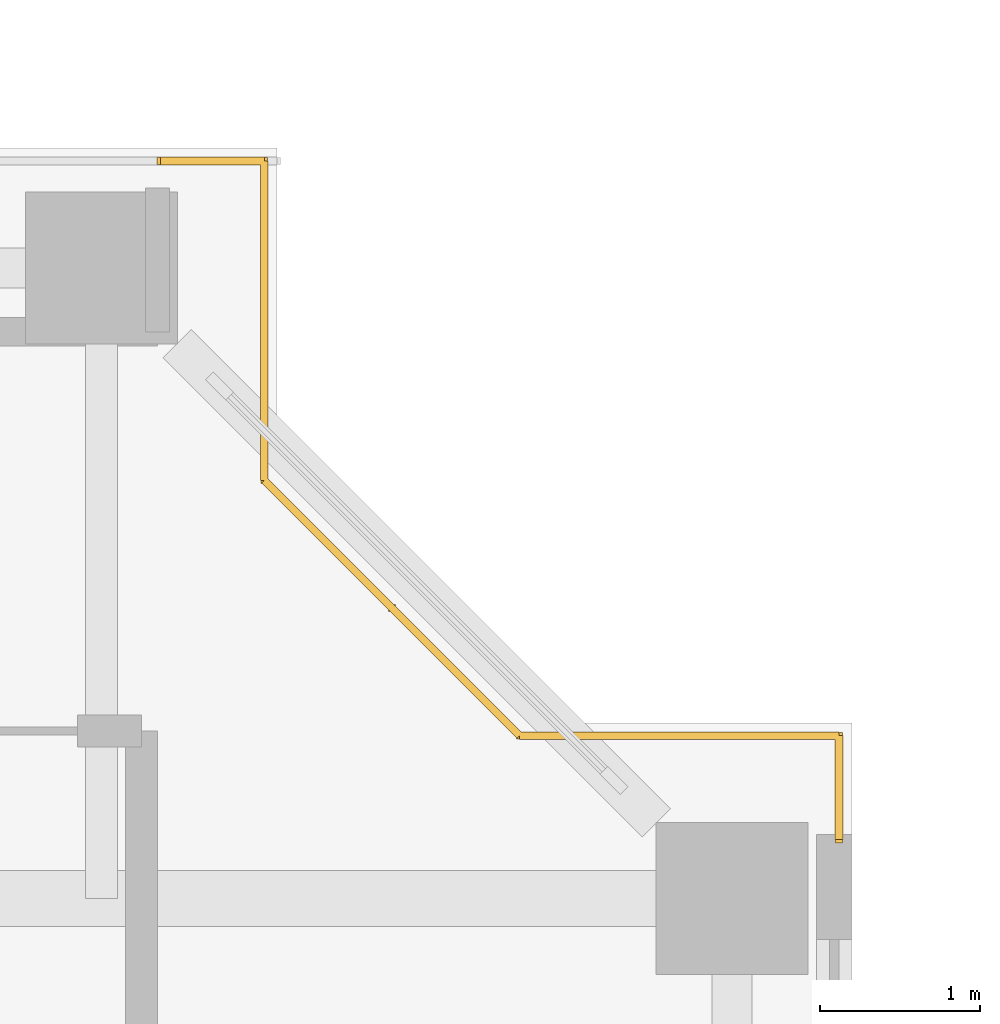
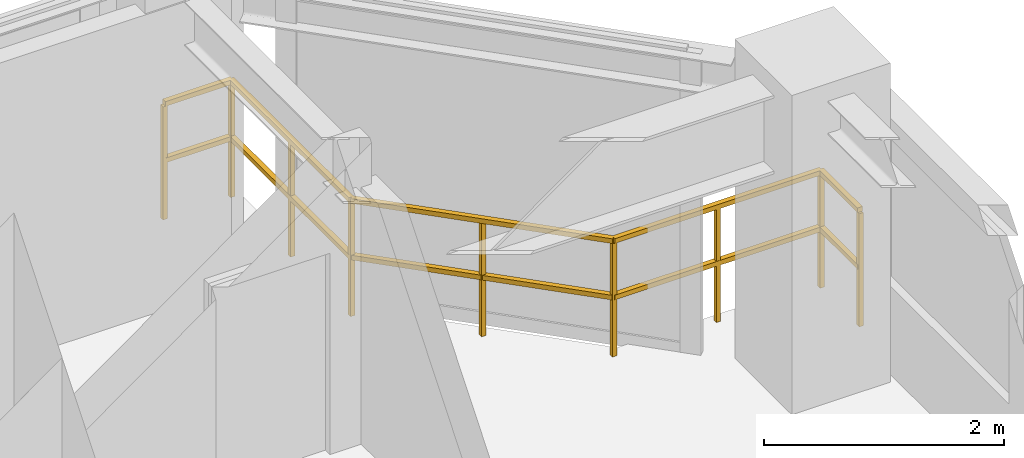
# One storey, part 24 of 24: 1 railing.
"""IFC4 building model written with IfcOpenShell, lengths in metres."""

from ifc_helpers import new_model, si_unit, direction, frame, origin, origin_2d, place, context, subcontext, project, spatial, rectangle, extrude, material, type_object, element, save


model = new_model("IFC4")

# Units and contexts
model_context = context("Model", 3, precision=1e-05, world=origin(), true_north=direction((0.0, 1.0)))
body_context = subcontext(model_context, "Body", "Model", "MODEL_VIEW")
ifc_project = project(units=[si_unit("LENGTHUNIT", "METRE"), si_unit("AREAUNIT", "SQUARE_METRE"), si_unit("VOLUMEUNIT", "CUBIC_METRE"), si_unit("PLANEANGLEUNIT", "RADIAN"), si_unit("MASSUNIT", "GRAM", prefix="KILO"), si_unit("THERMODYNAMICTEMPERATUREUNIT", "KELVIN"), si_unit("POWERUNIT", "WATT")], contexts=[model_context])

# Site, building, storey
site_placement = place(None, origin())
site = spatial("IfcSite", under=ifc_project, at=site_placement, CompositionType="ELEMENT")
building_placement = place(site_placement, origin())
building = spatial("IfcBuilding", under=site, at=building_placement, Name="Qiaomeng Ring Towers", CompositionType="ELEMENT")
storey_placement = place(building_placement, frame((0.0, 0.0, 56.75)))
storey = spatial("IfcBuildingStorey", under=building, at=storey_placement, Name="L15", CompositionType="ELEMENT", Elevation=56.75)

# Railing
ifc_material = material(Name="Low-E pale-green laminated safety glass", Category="glass")
railing_type = type_object("IfcRailingType", Name="ARC-RL-BAL1", PredefinedType="BALUSTRADE", material=ifc_material)
railing_placement = place(storey_placement, frame((73.919921875, 32.169921875, 0.0)))
element("IfcRailing", 1, at=railing_placement, inside=storey, type_object=railing_type, Name="L15 Balustrade ARC-BAL-NOTCH2-L15-NE", PredefinedType="BALUSTRADE", context=body_context, shape_type="SweptSolid", body=[
    extrude(rectangle(XDim=0.048095703125, YDim=0.048095703125, at=origin_2d()), frame((0.0, 0.0, 1.17578125), z_axis=(0.0, 1.0, 0.0), x_axis=(-1.0, 0.0, 0.0)), (0.0, 0.0, 1.0), 0.650146484375),
    extrude(rectangle(XDim=0.048095703125, YDim=0.048095703125, at=origin_2d()), frame((0.0, 0.0, 0.60009765625), z_axis=(0.0, 1.0, 0.0), x_axis=(-1.0, 0.0, 0.0)), (0.0, 0.0, 1.0), 0.650146484375),
    extrude(rectangle(XDim=0.048095703125, YDim=0.048095703125, at=origin_2d()), frame((0.0, 0.650146484375, 1.17578125), z_axis=(-1.0, 0.0, 0.0), x_axis=(0.0, -1.0, 0.0)), (0.0, 0.0, 1.0), 2.0),
    extrude(rectangle(XDim=0.048095703125, YDim=0.048095703125, at=origin_2d()), frame((0.0, 0.650146484375, 0.60009765625), z_axis=(-1.0, 0.0, 0.0), x_axis=(0.0, -1.0, 0.0)), (0.0, 0.0, 1.0), 2.0),
    extrude(rectangle(XDim=0.048095703125, YDim=0.048095703125, at=origin_2d()), frame((-2.0, 0.650146484375, 1.17578125), z_axis=(-0.707106781187, 0.707106781187, 0.0), x_axis=(-0.707106781187, -0.707106781187, 0.0)), (0.0, 0.0, 1.0), 2.262451171875),
    extrude(rectangle(XDim=0.048095703125, YDim=0.048095703125, at=origin_2d()), frame((-2.0, 0.650146484375, 0.60009765625), z_axis=(-0.707106781187, 0.707106781187, 0.0), x_axis=(-0.707106781187, -0.707106781187, 0.0)), (0.0, 0.0, 1.0), 2.262451171875),
    extrude(rectangle(XDim=0.048095703125, YDim=0.048095703125, at=origin_2d()), frame((-3.599853515625, 2.25, 1.17578125), z_axis=(0.0, 1.0, 0.0), x_axis=(-1.0, 0.0, 0.0)), (0.0, 0.0, 1.0), 2.0),
    extrude(rectangle(XDim=0.048095703125, YDim=0.048095703125, at=origin_2d()), frame((-3.599853515625, 2.25, 0.60009765625), z_axis=(0.0, 1.0, 0.0), x_axis=(-1.0, 0.0, 0.0)), (0.0, 0.0, 1.0), 2.0),
    extrude(rectangle(XDim=0.048095703125, YDim=0.048095703125, at=origin_2d()), frame((-3.599853515625, 4.25, 1.17578125), z_axis=(-1.0, 0.0, 0.0), x_axis=(0.0, -1.0, 0.0)), (0.0, 0.0, 1.0), 0.650146484375),
    extrude(rectangle(XDim=0.048095703125, YDim=0.048095703125, at=origin_2d()), frame((-3.599853515625, 4.25, 0.60009765625), z_axis=(-1.0, 0.0, 0.0), x_axis=(0.0, -1.0, 0.0)), (0.0, 0.0, 1.0), 0.650146484375),
    extrude(rectangle(XDim=0.0419921875, YDim=0.0419921875, at=origin_2d()), origin(), (0.0, 0.0, 1.0), 1.15185546875),
    extrude(rectangle(XDim=0.0419921875, YDim=0.0419921875, at=origin_2d()), frame((0.0, 0.650146484375, 0.0)), (0.0, 0.0, 1.0), 1.15185546875),
    extrude(rectangle(XDim=0.0419921875, YDim=0.0419921875, at=origin_2d()), frame((-1.0, 0.650146484375, 0.0)), (0.0, 0.0, 1.0), 1.15185546875),
    extrude(rectangle(XDim=0.0419921875, YDim=0.0419921875, at=origin_2d()), frame((-2.0, 0.650146484375, 0.0)), (0.0, 0.0, 1.0), 1.15185546875),
    extrude(rectangle(XDim=0.0419921875, YDim=0.0419921875, at=origin_2d()), frame((-2.7998046875, 1.4501953125, 0.0)), (0.0, 0.0, 1.0), 1.15185546875),
    extrude(rectangle(XDim=0.0419921875, YDim=0.0419921875, at=origin_2d()), frame((-3.599853515625, 2.25, 0.0)), (0.0, 0.0, 1.0), 1.15185546875),
    extrude(rectangle(XDim=0.0419921875, YDim=0.0419921875, at=origin_2d()), frame((-3.599853515625, 3.25, 0.0)), (0.0, 0.0, 1.0), 1.15185546875),
    extrude(rectangle(XDim=0.0419921875, YDim=0.0419921875, at=origin_2d()), frame((-3.599853515625, 4.25, 0.0)), (0.0, 0.0, 1.0), 1.15185546875),
    extrude(rectangle(XDim=0.0419921875, YDim=0.0419921875, at=origin_2d()), frame((-4.25, 4.25, 0.0)), (0.0, 0.0, 1.0), 1.15185546875),
])

save(model, "model.ifc")
